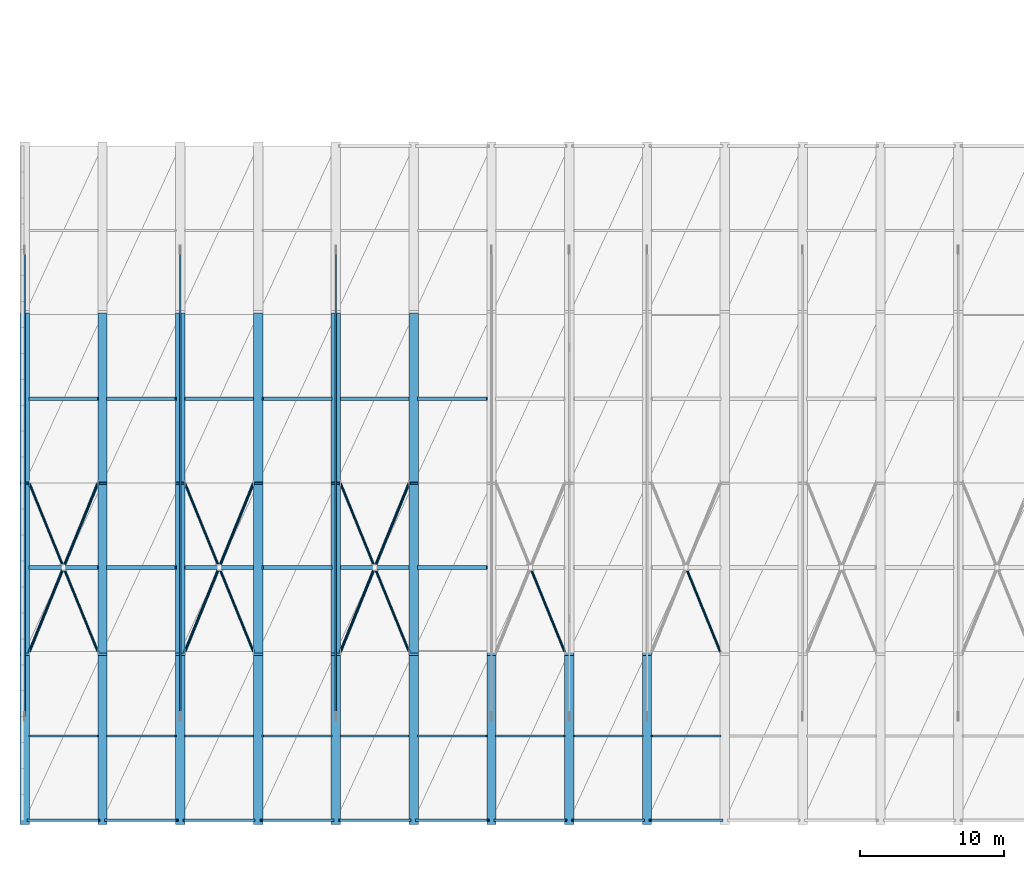
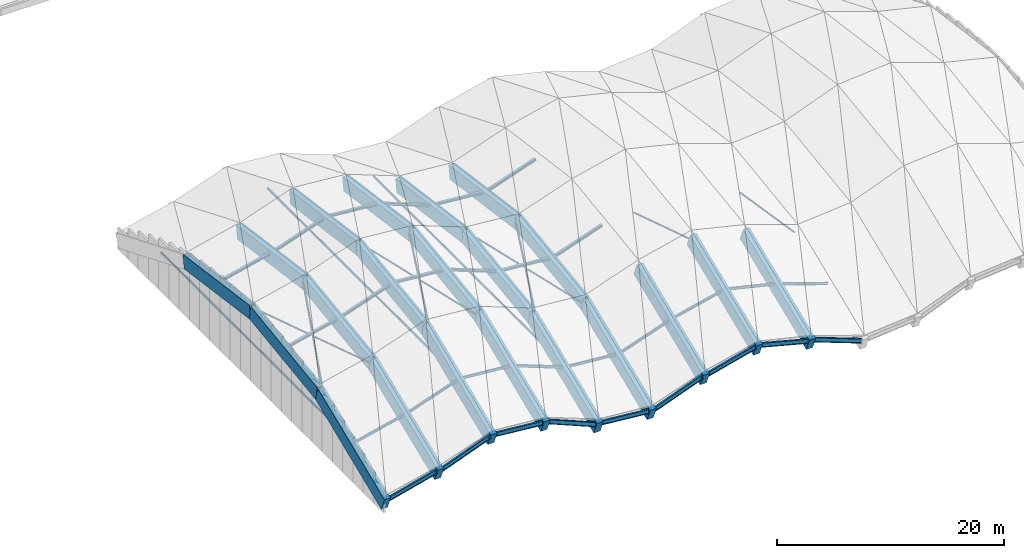
# One storey, part 1 of 22: 35 members, 30 beams.
"""IFC4 building model written with IfcOpenShell, lengths in metres."""

from ifc_helpers import new_model, si_unit, direction, frame, origin, origin_2d, place, context, subcontext, project, spatial, rectangle, hollow_rectangle, hollow_circle, i_section, extrude, material, material_profile, profile_set, type_object, element, save


model = new_model("IFC4")

# Units and contexts
model_context = context("Model", 3, precision=1e-05, world=origin(), true_north=direction((0.0, 1.0)))
body_context = subcontext(model_context, "Body", "Model", "MODEL_VIEW")
ifc_project = project(units=[si_unit("LENGTHUNIT", "METRE"), si_unit("AREAUNIT", "SQUARE_METRE"), si_unit("VOLUMEUNIT", "CUBIC_METRE"), si_unit("PLANEANGLEUNIT", "RADIAN"), si_unit("MASSUNIT", "GRAM", prefix="KILO")], contexts=[model_context])

# Site, building, storey
site_placement = place(None, origin())
site = spatial("IfcSite", under=ifc_project, at=site_placement, CompositionType="ELEMENT")
building_placement = place(site_placement, origin())
building = spatial("IfcBuilding", under=site, at=building_placement, Name="Lusvemor Sports Hall", CompositionType="ELEMENT")
storey_placement = place(building_placement, frame((0.0, 0.0, 23.39990234375)))
storey = spatial("IfcBuildingStorey", under=building, at=storey_placement, Name="Roof", CompositionType="ELEMENT", Elevation=23.39990234375)

# Beams
ifc_material_1 = material(Name="Concrete C40/50", Category="concrete")
ifc_material_profile_1 = material_profile(ifc_material_1, rectangle(XDim=0.64990234375, YDim=1.449951171875, at=origin_2d()), Name="RC650x1450")
ifc_profile_set_1 = profile_set([ifc_material_profile_1], Name="Concrete C40/50")
beam_type_1 = type_object("IfcBeamType", Name="ARCH_RIB_V1", PredefinedType="T_BEAM", material=ifc_profile_set_1)
beam_1_placement = place(storey_placement, frame((0.0, 0.0, -11.875), z_axis=(0.0, 0.924542194829, 0.381079689804), x_axis=(-1.0, 0.0, 0.0)))
element("IfcBeam", 1, at=beam_1_placement, inside=storey, type_object=beam_type_1, Name="Wave Barrel-Vault Arch Rib S00 Seg 1", PredefinedType="T_BEAM", context=body_context, shape_type="SweptSolid", body=[
    extrude(rectangle(XDim=0.64990234375, YDim=1.449951171875, at=origin_2d()), origin(), (0.0, 0.0, 1.0), 12.65478515625),
])
beam_2_placement = place(storey_placement, frame((0.0, 11.699951171875, -7.052490234375), z_axis=(0.0, 0.9906911455, 0.13612881483), x_axis=(-1.0, 0.0, 0.0)))
element("IfcBeam", 2, at=beam_2_placement, inside=storey, type_object=beam_type_1, Name="Wave Barrel-Vault Arch Rib S00 Seg 2", PredefinedType="T_BEAM", context=body_context, shape_type="SweptSolid", body=[
    extrude(rectangle(XDim=0.64990234375, YDim=1.449951171875, at=origin_2d()), origin(), (0.0, 0.0, 1.0), 11.809814453125),
])
beam_3_placement = place(storey_placement, frame((0.0, 23.39990234375, -5.44482421875), z_axis=(0.0, 0.990691528573, -0.136126026952), x_axis=(-1.0, 0.0, 0.0)))
element("IfcBeam", 3, at=beam_3_placement, inside=storey, type_object=beam_type_1, Name="Wave Barrel-Vault Arch Rib S00 Seg 3", PredefinedType="T_BEAM", context=body_context, shape_type="SweptSolid", body=[
    extrude(rectangle(XDim=0.64990234375, YDim=1.449951171875, at=origin_2d()), origin(), (0.0, 0.0, 1.0), 11.81005859375),
])
beam_4_placement = place(storey_placement, frame((5.39990234375, 0.0, -10.584228515625), z_axis=(0.0, 0.924542194829, 0.381079689804), x_axis=(-1.0, 0.0, 0.0)))
element("IfcBeam", 4, at=beam_4_placement, inside=storey, type_object=beam_type_1, Name="Wave Barrel-Vault Arch Rib S01 Seg 1", PredefinedType="T_BEAM", context=body_context, shape_type="SweptSolid", body=[
    extrude(rectangle(XDim=0.64990234375, YDim=1.449951171875, at=origin_2d()), origin(), (0.0, 0.0, 1.0), 12.65478515625),
])
beam_5_placement = place(storey_placement, frame((5.39990234375, 11.699951171875, -5.76171875), z_axis=(0.0, 0.990693933235, 0.136108525268), x_axis=(-1.0, 0.0, 0.0)))
element("IfcBeam", 5, at=beam_5_placement, inside=storey, type_object=beam_type_1, Name="Wave Barrel-Vault Arch Rib S01 Seg 2", PredefinedType="T_BEAM", context=body_context, shape_type="SweptSolid", body=[
    extrude(rectangle(XDim=0.64990234375, YDim=1.449951171875, at=origin_2d()), origin(), (0.0, 0.0, 1.0), 11.809814453125),
])
beam_6_placement = place(storey_placement, frame((5.39990234375, 23.39990234375, -4.154296875), z_axis=(0.0, 0.990694316195, -0.13610573779), x_axis=(-1.0, 0.0, 0.0)))
element("IfcBeam", 6, at=beam_6_placement, inside=storey, type_object=beam_type_1, Name="Wave Barrel-Vault Arch Rib S01 Seg 3", PredefinedType="T_BEAM", context=body_context, shape_type="SweptSolid", body=[
    extrude(rectangle(XDim=0.64990234375, YDim=1.449951171875, at=origin_2d()), origin(), (0.0, 0.0, 1.0), 11.81005859375),
])
beam_7_placement = place(storey_placement, frame((10.800048828125, 0.0, -8.71923828125), z_axis=(0.0, 0.924542194829, 0.381079689804), x_axis=(-1.0, 0.0, 0.0)))
element("IfcBeam", 7, at=beam_7_placement, inside=storey, type_object=beam_type_1, Name="Wave Barrel-Vault Arch Rib S02 Seg 1", PredefinedType="T_BEAM", context=body_context, shape_type="SweptSolid", body=[
    extrude(rectangle(XDim=0.64990234375, YDim=1.449951171875, at=origin_2d()), origin(), (0.0, 0.0, 1.0), 12.65478515625),
])
beam_8_placement = place(storey_placement, frame((10.800048828125, 11.699951171875, -3.896728515625), z_axis=(0.0, 0.990693933235, 0.136108525268), x_axis=(-1.0, 0.0, 0.0)))
element("IfcBeam", 8, at=beam_8_placement, inside=storey, type_object=beam_type_1, Name="Wave Barrel-Vault Arch Rib S02 Seg 2", PredefinedType="T_BEAM", context=body_context, shape_type="SweptSolid", body=[
    extrude(rectangle(XDim=0.64990234375, YDim=1.449951171875, at=origin_2d()), origin(), (0.0, 0.0, 1.0), 11.809814453125),
])
beam_9_placement = place(storey_placement, frame((10.800048828125, 23.39990234375, -2.289306640625), z_axis=(0.0, 0.990694316195, -0.13610573779), x_axis=(-1.0, 0.0, 0.0)))
element("IfcBeam", 9, at=beam_9_placement, inside=storey, type_object=beam_type_1, Name="Wave Barrel-Vault Arch Rib S02 Seg 3", PredefinedType="T_BEAM", context=body_context, shape_type="SweptSolid", body=[
    extrude(rectangle(XDim=0.64990234375, YDim=1.449951171875, at=origin_2d()), origin(), (0.0, 0.0, 1.0), 11.81005859375),
])
beam_10_placement = place(storey_placement, frame((16.199951171875, 0.0, -9.179931640625), z_axis=(0.0, 0.924542194829, 0.381079689804), x_axis=(-1.0, 0.0, 0.0)))
element("IfcBeam", 10, at=beam_10_placement, inside=storey, type_object=beam_type_1, Name="Wave Barrel-Vault Arch Rib S03 Seg 1", PredefinedType="T_BEAM", context=body_context, shape_type="SweptSolid", body=[
    extrude(rectangle(XDim=0.64990234375, YDim=1.449951171875, at=origin_2d()), origin(), (0.0, 0.0, 1.0), 12.65478515625),
])
beam_11_placement = place(storey_placement, frame((16.199951171875, 11.699951171875, -4.357421875), z_axis=(0.0, 0.990693933235, 0.136108525268), x_axis=(-1.0, 0.0, 0.0)))
element("IfcBeam", 11, at=beam_11_placement, inside=storey, type_object=beam_type_1, Name="Wave Barrel-Vault Arch Rib S03 Seg 2", PredefinedType="T_BEAM", context=body_context, shape_type="SweptSolid", body=[
    extrude(rectangle(XDim=0.64990234375, YDim=1.449951171875, at=origin_2d()), origin(), (0.0, 0.0, 1.0), 11.809814453125),
])
beam_12_placement = place(storey_placement, frame((16.199951171875, 23.39990234375, -2.75), z_axis=(0.0, 0.990694316195, -0.13610573779), x_axis=(-1.0, 0.0, 0.0)))
element("IfcBeam", 12, at=beam_12_placement, inside=storey, type_object=beam_type_1, Name="Wave Barrel-Vault Arch Rib S03 Seg 3", PredefinedType="T_BEAM", context=body_context, shape_type="SweptSolid", body=[
    extrude(rectangle(XDim=0.64990234375, YDim=1.449951171875, at=origin_2d()), origin(), (0.0, 0.0, 1.0), 11.81005859375),
])
beam_13_placement = place(storey_placement, frame((21.60009765625, 0.0, -11.25), z_axis=(0.0, 0.924542194829, 0.381079689804), x_axis=(-1.0, 0.0, 0.0)))
element("IfcBeam", 13, at=beam_13_placement, inside=storey, type_object=beam_type_1, Name="Wave Barrel-Vault Arch Rib S04 Seg 1", PredefinedType="T_BEAM", context=body_context, shape_type="SweptSolid", body=[
    extrude(rectangle(XDim=0.64990234375, YDim=1.449951171875, at=origin_2d()), origin(), (0.0, 0.0, 1.0), 12.65478515625),
])
beam_14_placement = place(storey_placement, frame((21.60009765625, 11.699951171875, -6.427490234375), z_axis=(0.0, 0.9906911455, 0.13612881483), x_axis=(-1.0, 0.0, 0.0)))
element("IfcBeam", 14, at=beam_14_placement, inside=storey, type_object=beam_type_1, Name="Wave Barrel-Vault Arch Rib S04 Seg 2", PredefinedType="T_BEAM", context=body_context, shape_type="SweptSolid", body=[
    extrude(rectangle(XDim=0.64990234375, YDim=1.449951171875, at=origin_2d()), origin(), (0.0, 0.0, 1.0), 11.809814453125),
])
beam_15_placement = place(storey_placement, frame((21.60009765625, 23.39990234375, -4.81982421875), z_axis=(0.0, 0.990691528573, -0.136126026952), x_axis=(-1.0, 0.0, 0.0)))
element("IfcBeam", 15, at=beam_15_placement, inside=storey, type_object=beam_type_1, Name="Wave Barrel-Vault Arch Rib S04 Seg 3", PredefinedType="T_BEAM", context=body_context, shape_type="SweptSolid", body=[
    extrude(rectangle(XDim=0.64990234375, YDim=1.449951171875, at=origin_2d()), origin(), (0.0, 0.0, 1.0), 11.81005859375),
])
beam_16_placement = place(storey_placement, frame((27.0, 0.0, -11.71044921875), z_axis=(0.0, 0.924542194829, 0.381079689804), x_axis=(-1.0, 0.0, 0.0)))
element("IfcBeam", 16, at=beam_16_placement, inside=storey, type_object=beam_type_1, Name="Wave Barrel-Vault Arch Rib S05 Seg 1", PredefinedType="T_BEAM", context=body_context, shape_type="SweptSolid", body=[
    extrude(rectangle(XDim=0.64990234375, YDim=1.449951171875, at=origin_2d()), origin(), (0.0, 0.0, 1.0), 12.65478515625),
])
beam_17_placement = place(storey_placement, frame((27.0, 11.699951171875, -6.887939453125), z_axis=(0.0, 0.990693933235, 0.136108525268), x_axis=(-1.0, 0.0, 0.0)))
element("IfcBeam", 17, at=beam_17_placement, inside=storey, type_object=beam_type_1, Name="Wave Barrel-Vault Arch Rib S05 Seg 2", PredefinedType="T_BEAM", context=body_context, shape_type="SweptSolid", body=[
    extrude(rectangle(XDim=0.64990234375, YDim=1.449951171875, at=origin_2d()), origin(), (0.0, 0.0, 1.0), 11.809814453125),
])
beam_18_placement = place(storey_placement, frame((27.0, 23.39990234375, -5.280517578125), z_axis=(0.0, 0.990694316195, -0.13610573779), x_axis=(-1.0, 0.0, 0.0)))
element("IfcBeam", 18, at=beam_18_placement, inside=storey, type_object=beam_type_1, Name="Wave Barrel-Vault Arch Rib S05 Seg 3", PredefinedType="T_BEAM", context=body_context, shape_type="SweptSolid", body=[
    extrude(rectangle(XDim=0.64990234375, YDim=1.449951171875, at=origin_2d()), origin(), (0.0, 0.0, 1.0), 11.81005859375),
])
for number, where, z_axis, x_axis, name in (
    (19, (32.39990234375, 0.0, -9.845458984375), (0.0, 0.924542194829, 0.381079689804), (-1.0, 0.0, 0.0), "Wave Barrel-Vault Arch Rib S06 Seg 1"),
    (20, (37.800048828125, 0.0, -8.554931640625), (0.0, 0.924542194829, 0.381079689804), (-1.0, 0.0, 0.0), "Wave Barrel-Vault Arch Rib S07 Seg 1"),
    (21, (43.199951171875, 0.0, -9.845458984375), (0.0, 0.924542194829, 0.381079689804), (-1.0, 0.0, 0.0), "Wave Barrel-Vault Arch Rib S08 Seg 1"),
):
    element("IfcBeam", number, at=place(storey_placement, frame(where, z_axis=z_axis, x_axis=x_axis)), inside=storey, type_object=beam_type_1, Name=name, PredefinedType="T_BEAM", context=body_context, shape_type="SweptSolid", body=[
        extrude(rectangle(XDim=0.64990234375, YDim=1.449951171875, at=origin_2d()), origin(), (0.0, 0.0, 1.0), 12.65478515625),
    ])

# Members
ifc_material_2 = material(Name="Steel S355", Category="steel")
ifc_material_profile_2 = material_profile(ifc_material_2, hollow_circle(Radius=0.084228515625, WallThickness=0.008056640625, at=origin_2d()), Name="CHS168.3x8.0")
ifc_profile_set_2 = profile_set([ifc_material_profile_2], Name="Steel S355")
member_type_1 = type_object("IfcMemberType", Name="BRACE_ROOF_168", PredefinedType="BRACE", material=ifc_profile_set_2)
member_1_placement = place(storey_placement, frame((0.320068359375, 23.39990234375, -5.289794921875), z_axis=(0.376709106348, -0.925991329337, -0.025105919363), x_axis=(0.926283296861, 0.376827883729, 0.0)))
element("IfcMember", 22, at=member_1_placement, inside=storey, type_object=member_type_1, Name="Wave Roof Brace 01-B1", PredefinedType="BRACE", context=body_context, shape_type="SweptSolid", body=[
    extrude(hollow_circle(Radius=0.084228515625, WallThickness=0.008056640625, at=origin_2d()), origin(), (0.0, 0.0, 1.0), 6.08740234375),
])
member_2_placement = place(storey_placement, frame((2.78662109375, 17.3369140625, -5.4541015625), z_axis=(0.376743898559, -0.925978270579, -0.02506546057), x_axis=(0.926269293289, 0.376862304178, 0.0)))
element("IfcMember", 23, at=member_2_placement, inside=storey, type_object=member_type_1, Name="Wave Roof Brace 01-B2", PredefinedType="BRACE", context=body_context, shape_type="SweptSolid", body=[
    extrude(hollow_circle(Radius=0.084228515625, WallThickness=0.008056640625, at=origin_2d()), origin(), (0.0, 0.0, 1.0), 6.087646484375),
])
member_3_placement = place(storey_placement, frame((11.1201171875, 23.39990234375, -2.13427734375), z_axis=(0.371894592726, -0.914105670564, -0.161571145148), x_axis=(0.926275948427, 0.376845946464, 0.0)))
element("IfcMember", 24, at=member_3_placement, inside=storey, type_object=member_type_1, Name="Wave Roof Brace 03-B1", PredefinedType="BRACE", context=body_context, shape_type="SweptSolid", body=[
    extrude(hollow_circle(Radius=0.084228515625, WallThickness=0.008056640625, at=origin_2d()), origin(), (0.0, 0.0, 1.0), 6.169677734375),
])
member_4_placement = place(storey_placement, frame((13.58544921875, 17.33984375, -3.20556640625), z_axis=(0.371881140736, -0.914112176222, -0.161565300875), x_axis=(0.926281642616, 0.376831950015, 0.0)))
element("IfcMember", 25, at=member_4_placement, inside=storey, type_object=member_type_1, Name="Wave Roof Brace 03-B2", PredefinedType="BRACE", context=body_context, shape_type="SweptSolid", body=[
    extrude(hollow_circle(Radius=0.084228515625, WallThickness=0.008056640625, at=origin_2d()), origin(), (0.0, 0.0, 1.0), 6.169921875),
])
member_5_placement = place(storey_placement, frame((21.919921875, 23.39990234375, -4.664794921875), z_axis=(0.371892214697, -0.914099825441, -0.161609683424), x_axis=(0.926275948427, 0.376845946464, 0.0)))
element("IfcMember", 26, at=member_5_placement, inside=storey, type_object=member_type_1, Name="Wave Roof Brace 05-B1", PredefinedType="BRACE", context=body_context, shape_type="SweptSolid", body=[
    extrude(hollow_circle(Radius=0.084228515625, WallThickness=0.008056640625, at=origin_2d()), origin(), (0.0, 0.0, 1.0), 6.169677734375),
])
member_6_placement = place(storey_placement, frame((24.385498046875, 17.33984375, -5.736083984375), z_axis=(0.371881140736, -0.914112176222, -0.161565300875), x_axis=(0.926281642616, 0.376831950015, 0.0)))
element("IfcMember", 27, at=member_6_placement, inside=storey, type_object=member_type_1, Name="Wave Roof Brace 05-B2", PredefinedType="BRACE", context=body_context, shape_type="SweptSolid", body=[
    extrude(hollow_circle(Radius=0.084228515625, WallThickness=0.008056640625, at=origin_2d()), origin(), (0.0, 0.0, 1.0), 6.169921875),
])
member_7_placement = place(storey_placement, frame((35.186767578125, 17.3369140625, -3.4248046875), z_axis=(0.376709485346, -0.925992260956, -0.025065839278), x_axis=(0.926283296861, 0.376827883729, 0.0)))
element("IfcMember", 28, at=member_7_placement, inside=storey, type_object=member_type_1, Name="Wave Roof Brace 07-B2", PredefinedType="BRACE", context=body_context, shape_type="SweptSolid", body=[
    extrude(hollow_circle(Radius=0.084228515625, WallThickness=0.008056640625, at=origin_2d()), origin(), (0.0, 0.0, 1.0), 6.08740234375),
])
member_8_placement = place(storey_placement, frame((45.983642578125, 17.344482421875, -5.0576171875), z_axis=(0.363359918134, -0.893140687566, -0.265083537979), x_axis=(0.926277861493, 0.37684124417, 0.0)))
element("IfcMember", 29, at=member_8_placement, inside=storey, type_object=member_type_1, Name="Wave Roof Brace 09-B2", PredefinedType="BRACE", context=body_context, shape_type="SweptSolid", body=[
    extrude(hollow_circle(Radius=0.084228515625, WallThickness=0.008056640625, at=origin_2d()), origin(), (0.0, 0.0, 1.0), 6.31982421875),
])
ifc_material_3 = material(Name="Steel S355", Category="steel")
ifc_material_profile_3 = material_profile(ifc_material_3, hollow_circle(Radius=0.096923828125, WallThickness=0.010009765625, at=origin_2d()), Name="CHS193.7x10.0")
ifc_profile_set_3 = profile_set([ifc_material_profile_3], Name="Steel S355")
member_type_2 = type_object("IfcMemberType", Name="BRACE_ROOF_193", PredefinedType="BRACE", material=ifc_profile_set_3)
member_9_placement = place(storey_placement, frame((0.320068359375, 11.699951171875, -6.8974609375), z_axis=(0.367301679561, 0.90281573522, 0.223636366521), x_axis=(-0.92627584737, 0.376846194858, 0.0)))
element("IfcMember", 30, at=member_9_placement, inside=storey, type_object=member_type_2, Name="Wave Roof Brace 01-A", PredefinedType="BRACE", context=body_context, shape_type="SweptSolid", body=[
    extrude(hollow_circle(Radius=0.096923828125, WallThickness=0.010009765625, at=origin_2d()), origin(), (0.0, 0.0, 1.0), 12.95947265625),
])
for number, where, z_axis, x_axis, name in (
    (31, (11.1201171875, 11.699951171875, -3.74169921875), (0.375286203633, 0.922488753421, 0.090414408005), (-0.926282594117, 0.376829611145, 0.0), "Wave Roof Brace 03-A"),
    (32, (21.919921875, 11.699951171875, -6.2724609375), (0.375302088525, 0.922480483581, 0.090432846689), (-0.92627584737, 0.376846194858, 0.0), "Wave Roof Brace 05-A"),
):
    element("IfcMember", number, at=place(storey_placement, frame(where, z_axis=z_axis, x_axis=x_axis)), inside=storey, type_object=member_type_2, Name=name, PredefinedType="BRACE", context=body_context, shape_type="SweptSolid", body=[
        extrude(hollow_circle(Radius=0.096923828125, WallThickness=0.010009765625, at=origin_2d()), origin(), (0.0, 0.0, 1.0), 12.68310546875),
    ])
ifc_material_4 = material(Name="Steel S355", Category="steel")
ifc_material_profile_4 = material_profile(ifc_material_4, i_section(OverallWidth=0.14794921875, OverallDepth=0.26611328125, WebThickness=0.007568359375, FlangeThickness=0.012939453125, FilletRadius=0.012939453125, at=origin_2d()), Name="W250x44.8")
ifc_profile_set_4 = profile_set([ifc_material_profile_4], Name="Steel S355")
member_type_3 = type_object("IfcMemberType", Name="PURL_WAVE_250", PredefinedType="PURLIN", material=ifc_profile_set_4)
member_10_placement = place(storey_placement, frame((0.320068359375, 5.85009765625, -8.861328125), z_axis=(0.972616410146, 0.0, 0.232416261726), x_axis=(0.0, 1.0, 0.0)))
element("IfcMember", 33, at=member_10_placement, inside=storey, type_object=member_type_3, Name="Wave Roof Purlin 01-1", PredefinedType="PURLIN", context=body_context, shape_type="SweptSolid", body=[
    extrude(i_section(OverallWidth=0.14794921875, OverallDepth=0.26611328125, WebThickness=0.007568359375, FlangeThickness=0.012939453125, FilletRadius=0.012939453125, at=origin_2d()), origin(), (0.0, 0.0, 1.0), 4.89404296875),
])
member_11_placement = place(storey_placement, frame((5.719970703125, 5.85009765625, -7.546142578125), z_axis=(0.945210062385, 0.0, 0.326462766585), x_axis=(0.0, 1.0, 0.0)))
element("IfcMember", 34, at=member_11_placement, inside=storey, type_object=member_type_3, Name="Wave Roof Purlin 02-1", PredefinedType="PURLIN", context=body_context, shape_type="SweptSolid", body=[
    extrude(i_section(OverallWidth=0.14794921875, OverallDepth=0.26611328125, WebThickness=0.007568359375, FlangeThickness=0.012939453125, FilletRadius=0.012939453125, at=origin_2d()), origin(), (0.0, 0.0, 1.0), 5.035888671875),
])
member_12_placement = place(storey_placement, frame((11.1201171875, 5.85009765625, -5.802001953125), z_axis=(0.996381726527, 0.0, -0.084990911531), x_axis=(0.0, 1.0, 0.0)))
element("IfcMember", 35, at=member_12_placement, inside=storey, type_object=member_type_3, Name="Wave Roof Purlin 03-1", PredefinedType="PURLIN", context=body_context, shape_type="SweptSolid", body=[
    extrude(i_section(OverallWidth=0.14794921875, OverallDepth=0.26611328125, WebThickness=0.007568359375, FlangeThickness=0.012939453125, FilletRadius=0.012939453125, at=origin_2d()), origin(), (0.0, 0.0, 1.0), 4.777099609375),
])
member_13_placement = place(storey_placement, frame((16.52001953125, 5.85009765625, -6.379150390625), z_axis=(0.933759722314, 0.0, -0.357900518277), x_axis=(0.0, 1.0, 0.0)))
element("IfcMember", 36, at=member_13_placement, inside=storey, type_object=member_type_3, Name="Wave Roof Purlin 04-1", PredefinedType="PURLIN", context=body_context, shape_type="SweptSolid", body=[
    extrude(i_section(OverallWidth=0.14794921875, OverallDepth=0.26611328125, WebThickness=0.007568359375, FlangeThickness=0.012939453125, FilletRadius=0.012939453125, at=origin_2d()), origin(), (0.0, 0.0, 1.0), 5.09765625),
])
member_14_placement = place(storey_placement, frame((21.919921875, 5.85009765625, -8.33251953125), z_axis=(0.996382095668, 0.0, -0.084986583838), x_axis=(0.0, 1.0, 0.0)))
element("IfcMember", 37, at=member_14_placement, inside=storey, type_object=member_type_3, Name="Wave Roof Purlin 05-1", PredefinedType="PURLIN", context=body_context, shape_type="SweptSolid", body=[
    extrude(i_section(OverallWidth=0.14794921875, OverallDepth=0.26611328125, WebThickness=0.007568359375, FlangeThickness=0.012939453125, FilletRadius=0.012939453125, at=origin_2d()), origin(), (0.0, 0.0, 1.0), 4.77734375),
])
member_15_placement = place(storey_placement, frame((27.320068359375, 5.85009765625, -8.67236328125), z_axis=(0.945210062385, 0.0, 0.326462766585), x_axis=(0.0, 1.0, 0.0)))
element("IfcMember", 38, at=member_15_placement, inside=storey, type_object=member_type_3, Name="Wave Roof Purlin 06-1", PredefinedType="PURLIN", context=body_context, shape_type="SweptSolid", body=[
    extrude(i_section(OverallWidth=0.14794921875, OverallDepth=0.26611328125, WebThickness=0.007568359375, FlangeThickness=0.012939453125, FilletRadius=0.012939453125, at=origin_2d()), origin(), (0.0, 0.0, 1.0), 5.035888671875),
])
member_16_placement = place(storey_placement, frame((32.719970703125, 5.85009765625, -6.83203125), z_axis=(0.972605132435, 0.0, 0.232463451667), x_axis=(0.0, 1.0, 0.0)))
element("IfcMember", 39, at=member_16_placement, inside=storey, type_object=member_type_3, Name="Wave Roof Purlin 07-1", PredefinedType="PURLIN", context=body_context, shape_type="SweptSolid", body=[
    extrude(i_section(OverallWidth=0.14794921875, OverallDepth=0.26611328125, WebThickness=0.007568359375, FlangeThickness=0.012939453125, FilletRadius=0.012939453125, at=origin_2d()), origin(), (0.0, 0.0, 1.0), 4.89404296875),
])
member_17_placement = place(storey_placement, frame((38.1201171875, 5.85009765625, -5.6943359375), z_axis=(0.972602436498, 0.0, -0.232474730923), x_axis=(0.0, 1.0, 0.0)))
element("IfcMember", 40, at=member_17_placement, inside=storey, type_object=member_type_3, Name="Wave Roof Purlin 08-1", PredefinedType="PURLIN", context=body_context, shape_type="SweptSolid", body=[
    extrude(i_section(OverallWidth=0.14794921875, OverallDepth=0.26611328125, WebThickness=0.007568359375, FlangeThickness=0.012939453125, FilletRadius=0.012939453125, at=origin_2d()), origin(), (0.0, 0.0, 1.0), 4.893798828125),
])
member_18_placement = place(storey_placement, frame((43.52001953125, 5.85009765625, -7.0283203125), z_axis=(0.945210062385, 0.0, -0.326462766585), x_axis=(0.0, 1.0, 0.0)))
element("IfcMember", 41, at=member_18_placement, inside=storey, type_object=member_type_3, Name="Wave Roof Purlin 09-1", PredefinedType="PURLIN", context=body_context, shape_type="SweptSolid", body=[
    extrude(i_section(OverallWidth=0.14794921875, OverallDepth=0.26611328125, WebThickness=0.007568359375, FlangeThickness=0.012939453125, FilletRadius=0.012939453125, at=origin_2d()), origin(), (0.0, 0.0, 1.0), 5.035888671875),
])
ifc_material_5 = material(Name="Steel S355", Category="steel")
ifc_material_profile_5 = material_profile(ifc_material_5, i_section(OverallWidth=0.25390625, OverallDepth=0.2529296875, WebThickness=0.008544921875, FlangeThickness=0.01416015625, FilletRadius=0.012939453125, at=origin_2d()), Name="W250x73.0")
ifc_profile_set_5 = profile_set([ifc_material_profile_5], Name="Steel S355")
member_type_4 = type_object("IfcMemberType", Name="PURL_WAVE_250H", PredefinedType="PURLIN", material=ifc_profile_set_5)
for number, where, z_axis, x_axis, name in (
    (42, (0.320068359375, 17.550048828125, -5.62841796875), (0.972616410146, 0.0, 0.232416261726), (0.0, 1.0, 0.0), "Wave Roof Purlin 01-2"),
    (43, (0.320068359375, 29.25, -5.62841796875), (0.972616410146, 0.0, 0.232416261726), (0.0, 1.0, 0.0), "Wave Roof Purlin 01-3"),
):
    element("IfcMember", number, at=place(storey_placement, frame(where, z_axis=z_axis, x_axis=x_axis)), inside=storey, type_object=member_type_4, Name=name, PredefinedType="PURLIN", context=body_context, shape_type="SweptSolid", body=[
        extrude(i_section(OverallWidth=0.25390625, OverallDepth=0.2529296875, WebThickness=0.008544921875, FlangeThickness=0.01416015625, FilletRadius=0.012939453125, at=origin_2d()), origin(), (0.0, 0.0, 1.0), 4.89404296875),
    ])
for number, where, z_axis, x_axis, name in (
    (44, (5.719970703125, 17.550048828125, -4.313720703125), (0.945225021317, 0.0, 0.326419452661), (0.0, 1.0, 0.0), "Wave Roof Purlin 02-2"),
    (45, (5.719970703125, 29.25, -4.313720703125), (0.945225021317, 0.0, 0.326419452661), (0.0, 1.0, 0.0), "Wave Roof Purlin 02-3"),
):
    element("IfcMember", number, at=place(storey_placement, frame(where, z_axis=z_axis, x_axis=x_axis)), inside=storey, type_object=member_type_4, Name=name, PredefinedType="PURLIN", context=body_context, shape_type="SweptSolid", body=[
        extrude(i_section(OverallWidth=0.25390625, OverallDepth=0.2529296875, WebThickness=0.008544921875, FlangeThickness=0.01416015625, FilletRadius=0.012939453125, at=origin_2d()), origin(), (0.0, 0.0, 1.0), 5.035888671875),
    ])
for number, where, z_axis, x_axis, name in (
    (46, (11.1201171875, 17.550048828125, -2.568359375), (0.996377397341, 0.0, -0.085041649014), (0.0, 1.0, 0.0), "Wave Roof Purlin 03-2"),
    (47, (11.1201171875, 29.25, -2.568359375), (0.996377397341, 0.0, -0.085041649014), (0.0, 1.0, 0.0), "Wave Roof Purlin 03-3"),
):
    element("IfcMember", number, at=place(storey_placement, frame(where, z_axis=z_axis, x_axis=x_axis)), inside=storey, type_object=member_type_4, Name=name, PredefinedType="PURLIN", context=body_context, shape_type="SweptSolid", body=[
        extrude(i_section(OverallWidth=0.25390625, OverallDepth=0.2529296875, WebThickness=0.008544921875, FlangeThickness=0.01416015625, FilletRadius=0.012939453125, at=origin_2d()), origin(), (0.0, 0.0, 1.0), 4.777099609375),
    ])
for number, where, z_axis, x_axis, name in (
    (48, (16.52001953125, 17.550048828125, -3.14697265625), (0.933743716319, 0.0, -0.357942275005), (0.0, 1.0, 0.0), "Wave Roof Purlin 04-2"),
    (49, (16.52001953125, 29.25, -3.14697265625), (0.933743716319, 0.0, -0.357942275005), (0.0, 1.0, 0.0), "Wave Roof Purlin 04-3"),
):
    element("IfcMember", number, at=place(storey_placement, frame(where, z_axis=z_axis, x_axis=x_axis)), inside=storey, type_object=member_type_4, Name=name, PredefinedType="PURLIN", context=body_context, shape_type="SweptSolid", body=[
        extrude(i_section(OverallWidth=0.25390625, OverallDepth=0.2529296875, WebThickness=0.008544921875, FlangeThickness=0.01416015625, FilletRadius=0.012939453125, at=origin_2d()), origin(), (0.0, 0.0, 1.0), 5.09765625),
    ])
for number, where, z_axis, x_axis, name in (
    (50, (21.919921875, 17.550048828125, -5.09912109375), (0.996382095668, 0.0, -0.084986583838), (0.0, 1.0, 0.0), "Wave Roof Purlin 05-2"),
    (51, (21.919921875, 29.25, -5.09912109375), (0.996382095668, 0.0, -0.084986583838), (0.0, 1.0, 0.0), "Wave Roof Purlin 05-3"),
):
    element("IfcMember", number, at=place(storey_placement, frame(where, z_axis=z_axis, x_axis=x_axis)), inside=storey, type_object=member_type_4, Name=name, PredefinedType="PURLIN", context=body_context, shape_type="SweptSolid", body=[
        extrude(i_section(OverallWidth=0.25390625, OverallDepth=0.2529296875, WebThickness=0.008544921875, FlangeThickness=0.01416015625, FilletRadius=0.012939453125, at=origin_2d()), origin(), (0.0, 0.0, 1.0), 4.77734375),
    ])
for number, where, z_axis, x_axis, name in (
    (52, (27.320068359375, 17.550048828125, -5.43994140625), (0.945225021317, 0.0, 0.326419452661), (0.0, 1.0, 0.0), "Wave Roof Purlin 06-2"),
    (53, (27.320068359375, 29.25, -5.43994140625), (0.945225021317, 0.0, 0.326419452661), (0.0, 1.0, 0.0), "Wave Roof Purlin 06-3"),
):
    element("IfcMember", number, at=place(storey_placement, frame(where, z_axis=z_axis, x_axis=x_axis)), inside=storey, type_object=member_type_4, Name=name, PredefinedType="PURLIN", context=body_context, shape_type="SweptSolid", body=[
        extrude(i_section(OverallWidth=0.25390625, OverallDepth=0.2529296875, WebThickness=0.008544921875, FlangeThickness=0.01416015625, FilletRadius=0.012939453125, at=origin_2d()), origin(), (0.0, 0.0, 1.0), 5.035888671875),
    ])

# Beams
ifc_material_6 = material(Name="Steel S355", Category="steel")
ifc_material_profile_6 = material_profile(ifc_material_6, i_section(OverallWidth=0.19189453125, OverallDepth=0.462890625, WebThickness=0.010498046875, FlangeThickness=0.017578125, FilletRadius=0.01806640625, at=origin_2d()), Name="W460x89.0")
ifc_profile_set_6 = profile_set([ifc_material_profile_6], Name="Steel S355")
beam_type_2 = type_object("IfcBeamType", Name="SPAND_WAVE_EAVE", PredefinedType="SPANDREL", material=ifc_profile_set_6)
beam_19_placement = place(storey_placement, frame((0.219970703125, 0.0, -11.46142578125), z_axis=(0.967777943077, 0.0, 0.251805188379), x_axis=(0.0, 1.0, 0.0)))
element("IfcBeam", 54, at=beam_19_placement, inside=storey, type_object=beam_type_2, Name="Wave Eave Spandrel S-01", PredefinedType="SPANDREL", context=body_context, shape_type="SweptSolid", body=[
    extrude(i_section(OverallWidth=0.19189453125, OverallDepth=0.462890625, WebThickness=0.010498046875, FlangeThickness=0.017578125, FilletRadius=0.01806640625, at=origin_2d()), origin(), (0.0, 0.0, 1.0), 5.125),
])
beam_20_placement = place(storey_placement, frame((5.6201171875, 0.0, -10.18310546875), z_axis=(0.936018292282, 0.0, 0.351951355323), x_axis=(0.0, 1.0, 0.0)))
element("IfcBeam", 55, at=beam_20_placement, inside=storey, type_object=beam_type_2, Name="Wave Eave Spandrel S-02", PredefinedType="SPANDREL", context=body_context, shape_type="SweptSolid", body=[
    extrude(i_section(OverallWidth=0.19189453125, OverallDepth=0.462890625, WebThickness=0.010498046875, FlangeThickness=0.017578125, FilletRadius=0.01806640625, at=origin_2d()), origin(), (0.0, 0.0, 1.0), 5.299072265625),
])
beam_21_placement = place(storey_placement, frame((11.02001953125, 0.0, -8.295654296875), z_axis=(0.995714135821, 0.0, -0.092484375581), x_axis=(0.0, 1.0, 0.0)))
element("IfcBeam", 56, at=beam_21_placement, inside=storey, type_object=beam_type_2, Name="Wave Eave Spandrel S-03", PredefinedType="SPANDREL", context=body_context, shape_type="SweptSolid", body=[
    extrude(i_section(OverallWidth=0.19189453125, OverallDepth=0.462890625, WebThickness=0.010498046875, FlangeThickness=0.017578125, FilletRadius=0.01806640625, at=origin_2d()), origin(), (0.0, 0.0, 1.0), 4.981201171875),
])
beam_22_placement = place(storey_placement, frame((16.419921875, 0.0, -8.7841796875), z_axis=(0.922850983776, 0.0, -0.385157190955), x_axis=(0.0, 1.0, 0.0)))
element("IfcBeam", 57, at=beam_22_placement, inside=storey, type_object=beam_type_2, Name="Wave Eave Spandrel S-04", PredefinedType="SPANDREL", context=body_context, shape_type="SweptSolid", body=[
    extrude(i_section(OverallWidth=0.19189453125, OverallDepth=0.462890625, WebThickness=0.010498046875, FlangeThickness=0.017578125, FilletRadius=0.01806640625, at=origin_2d()), origin(), (0.0, 0.0, 1.0), 5.37451171875),
])
beam_23_placement = place(storey_placement, frame((21.820068359375, 0.0, -10.826416015625), z_axis=(0.995714135821, 0.0, -0.092484375581), x_axis=(0.0, 1.0, 0.0)))
element("IfcBeam", 58, at=beam_23_placement, inside=storey, type_object=beam_type_2, Name="Wave Eave Spandrel S-05", PredefinedType="SPANDREL", context=body_context, shape_type="SweptSolid", body=[
    extrude(i_section(OverallWidth=0.19189453125, OverallDepth=0.462890625, WebThickness=0.010498046875, FlangeThickness=0.017578125, FilletRadius=0.01806640625, at=origin_2d()), origin(), (0.0, 0.0, 1.0), 4.981201171875),
])
beam_24_placement = place(storey_placement, frame((27.219970703125, 0.0, -11.309326171875), z_axis=(0.936018292282, 0.0, 0.351951355323), x_axis=(0.0, 1.0, 0.0)))
element("IfcBeam", 59, at=beam_24_placement, inside=storey, type_object=beam_type_2, Name="Wave Eave Spandrel S-06", PredefinedType="SPANDREL", context=body_context, shape_type="SweptSolid", body=[
    extrude(i_section(OverallWidth=0.19189453125, OverallDepth=0.462890625, WebThickness=0.010498046875, FlangeThickness=0.017578125, FilletRadius=0.01806640625, at=origin_2d()), origin(), (0.0, 0.0, 1.0), 5.299072265625),
])
for number, where, z_axis, x_axis, name in (
    (60, (32.6201171875, 0.0, -9.43212890625), (0.967777943077, 0.0, 0.251805188379), (0.0, 1.0, 0.0), "Wave Eave Spandrel S-07"),
    (61, (38.02001953125, 0.0, -8.1416015625), (0.967777943077, 0.0, -0.251805188379), (0.0, 1.0, 0.0), "Wave Eave Spandrel S-08"),
):
    element("IfcBeam", number, at=place(storey_placement, frame(where, z_axis=z_axis, x_axis=x_axis)), inside=storey, type_object=beam_type_2, Name=name, PredefinedType="SPANDREL", context=body_context, shape_type="SweptSolid", body=[
        extrude(i_section(OverallWidth=0.19189453125, OverallDepth=0.462890625, WebThickness=0.010498046875, FlangeThickness=0.017578125, FilletRadius=0.01806640625, at=origin_2d()), origin(), (0.0, 0.0, 1.0), 5.125),
    ])
beam_25_placement = place(storey_placement, frame((43.419921875, 0.0, -9.4443359375), z_axis=(0.936018292282, 0.0, -0.351951355323), x_axis=(0.0, 1.0, 0.0)))
element("IfcBeam", 62, at=beam_25_placement, inside=storey, type_object=beam_type_2, Name="Wave Eave Spandrel S-09", PredefinedType="SPANDREL", context=body_context, shape_type="SweptSolid", body=[
    extrude(i_section(OverallWidth=0.19189453125, OverallDepth=0.462890625, WebThickness=0.010498046875, FlangeThickness=0.017578125, FilletRadius=0.01806640625, at=origin_2d()), origin(), (0.0, 0.0, 1.0), 5.299072265625),
])

# Members
ifc_material_7 = material(Name="Steel S355", Category="steel")
ifc_material_profile_7 = material_profile(ifc_material_7, hollow_rectangle(XDim=0.1201171875, YDim=0.219970703125, WallThickness=0.010009765625, InnerFilletRadius=0.010009765625, OuterFilletRadius=0.02001953125, at=origin_2d()), Name="RHS220x120x10")
ifc_profile_set_7 = profile_set([ifc_material_profile_7], Name="Steel S355")
member_type_5 = type_object("IfcMemberType", Name="STRUT_VAULT_220", PredefinedType="STRUT", material=ifc_profile_set_7)
for number, where, z_axis, x_axis, name in (
    (63, (0.0, 7.199951171875, -8.9072265625), (0.0, 1.0, 0.0), (-1.0, 0.0, 0.0), "Barrel-Vault Arch Tie S00"),
    (64, (10.800048828125, 7.199951171875, -5.751708984375), (0.0, 1.0, 0.0), (-1.0, 0.0, 0.0), "Barrel-Vault Arch Tie S02"),
    (65, (21.60009765625, 7.199951171875, -8.2822265625), (0.0, 1.0, 0.0), (-1.0, 0.0, 0.0), "Barrel-Vault Arch Tie S04"),
):
    element("IfcMember", number, at=place(storey_placement, frame(where, z_axis=z_axis, x_axis=x_axis)), inside=storey, type_object=member_type_5, Name=name, PredefinedType="STRUT", context=body_context, shape_type="SweptSolid", body=[
        extrude(hollow_rectangle(XDim=0.1201171875, YDim=0.219970703125, WallThickness=0.010009765625, InnerFilletRadius=0.010009765625, OuterFilletRadius=0.02001953125, at=origin_2d()), origin(), (0.0, 0.0, 1.0), 32.400146484375),
    ])

save(model, "model.ifc")
